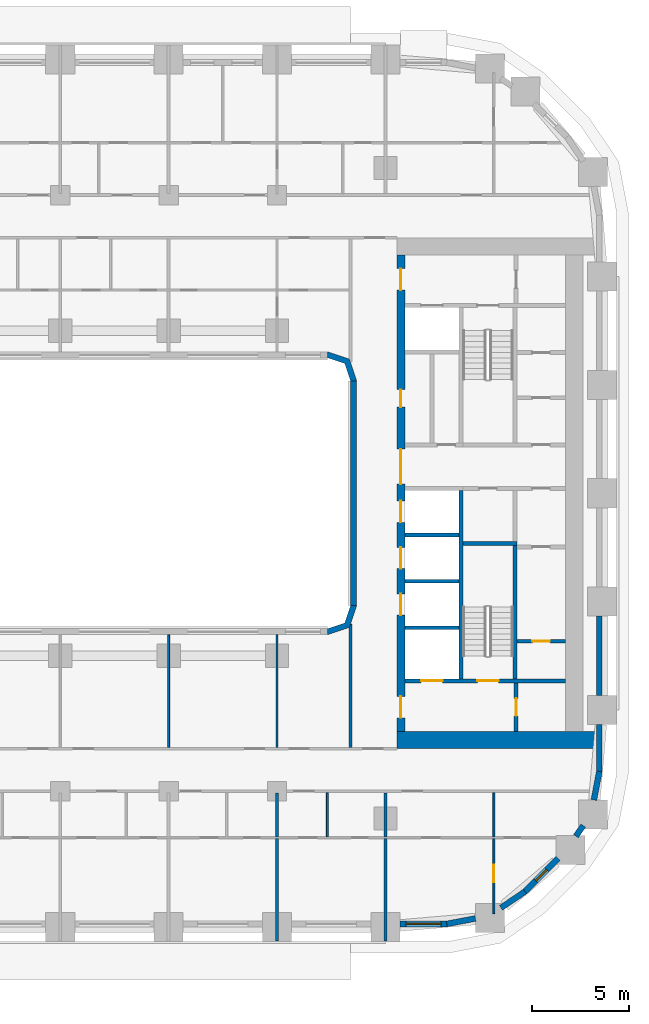
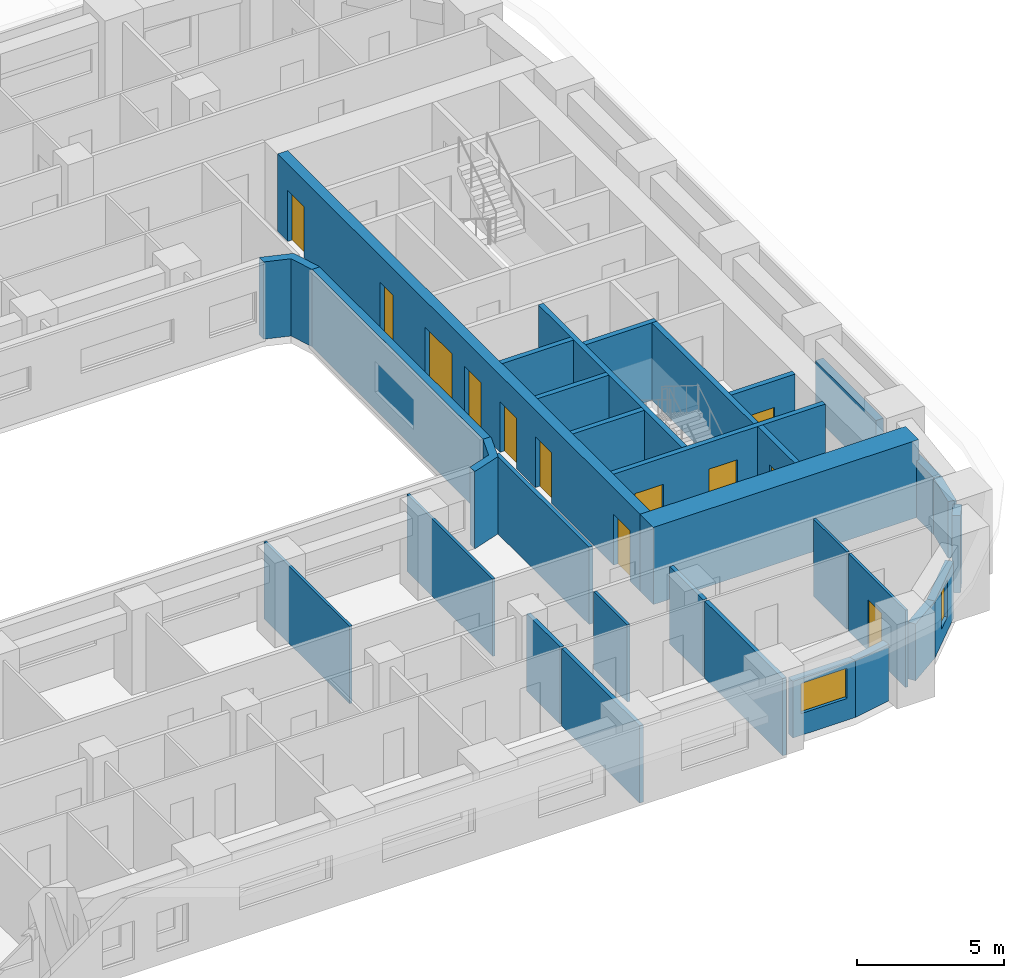
# One storey, part 6 of 21: 32 walls, 12 doors, 2 windows, 14 openings.
"""IFC4 building model written with IfcOpenShell, lengths in metres."""

from ifc_helpers import new_model, si_unit, direction, frame, frame_2d, origin, place, context, subcontext, project, spatial, polyline, rectangle, outline, extrude, material, layer, layer_set, type_object, element, fill, save


model = new_model("IFC4")

# Units and contexts
model_context = context("Model", 3, precision=1e-05, world=origin(), true_north=direction((0.0, 1.0)))
body_context = subcontext(model_context, "Body", "Model", "MODEL_VIEW")
ifc_project = project(units=[si_unit("LENGTHUNIT", "METRE"), si_unit("AREAUNIT", "SQUARE_METRE"), si_unit("VOLUMEUNIT", "CUBIC_METRE"), si_unit("PLANEANGLEUNIT", "RADIAN"), si_unit("MASSUNIT", "GRAM", prefix="KILO")], contexts=[model_context])

# Site, building, storey
site_placement = place(None, origin())
site = spatial("IfcSite", under=ifc_project, at=site_placement, CompositionType="ELEMENT")
building_placement = place(site_placement, origin())
building = spatial("IfcBuilding", under=site, at=building_placement, Name="Kiln Ring Residences", CompositionType="ELEMENT")
storey_placement = place(building_placement, frame((0.0, 0.0, 48.0)))
storey = spatial("IfcBuildingStorey", under=building, at=storey_placement, Name="L11", CompositionType="ELEMENT", Elevation=48.0)

# Wall, opening, door
ifc_material_1 = material(Name="Gypsum board on steel studs", Category="steel")
ifc_layer_1 = layer(ifc_material_1, 0.199951171875)
ifc_layer_set_1 = layer_set([ifc_layer_1], Name="CORE-PARTITION-200")
wall_type_1 = type_object("IfcWallType", Name="CORE-PARTITION-200", PredefinedType="PARTITIONING", material=ifc_layer_set_1)
wall_1_placement = place(storey_placement, frame((23.550048828125, -12.300048828125, 0.0), z_axis=(0.0, 0.0, 1.0), x_axis=(0.0, 1.0, 0.0)))
wall_1 = element("IfcWall", 1, at=wall_1_placement, inside=storey, type_object=wall_type_1, Name="Core partition east L11 5", PredefinedType="PARTITIONING", context=body_context, shape_type="SweptSolid", body=[
    extrude(rectangle(XDim=2.5, YDim=0.199951171875, at=frame_2d((1.25, 0.0))), origin(), (0.0, 0.0, 1.0), 3.199951171875),
])
opening_1_placement = place(wall_1_placement, frame((0.800048828125, 0.0, 0.0)))
opening_1 = element("IfcOpeningElement", 2, at=opening_1_placement, cuts=wall_1, Name="Opening L11-CE11", PredefinedType="OPENING", context=body_context, shape_type="SweptSolid", body=[
    extrude(rectangle(XDim=0.89990234375, YDim=2.10009765625, at=frame_2d((0.449951171875, 1.050048828125))), frame((0.0, 0.10986328125, 0.0), z_axis=(0.0, -1.0, 0.0), x_axis=(1.0, 0.0, 0.0)), (0.0, 0.0, 1.0), 0.219970703125),
])
ifc_material_2 = material(Name="Steel door leaf", Category="steel")
door_type_1 = type_object("IfcDoorType", Name="CORE-DOOR-ROOM", OperationType="SINGLE_SWING_LEFT", PredefinedType="DOOR", material=ifc_material_2)
door_1_placement = place(opening_1_placement, origin())
door_1 = element("IfcDoor", 3, at=door_1_placement, inside=storey, type_object=door_type_1, Name="Store L11-CE11", OperationType="SINGLE_SWING_RIGHT", OverallHeight=2.10009765625, OverallWidth=0.89990234375, PredefinedType="DOOR", context=body_context, shape_type="SweptSolid", body=[
    extrude(rectangle(XDim=0.89990234375, YDim=2.10009765625, at=frame_2d((0.449951171875, 1.050048828125))), frame((0.0, 0.02490234375, 0.0), z_axis=(0.0, -1.0, 0.0), x_axis=(1.0, 0.0, 0.0)), (0.0, 0.0, 1.0), 0.050048828125),
])
fill(opening_1, door_1)

wall_2_placement = place(storey_placement, frame((23.60009765625, -7.64990234375, 0.0), z_axis=(0.0, 0.0, 1.0), x_axis=(1.0, 0.0, 0.0)))
wall_2 = element("IfcWall", 4, at=wall_2_placement, inside=storey, type_object=wall_type_1, Name="Core partition east L11 6", PredefinedType="PARTITIONING", context=body_context, shape_type="SweptSolid", body=[
    extrude(rectangle(XDim=2.5, YDim=0.199951171875, at=frame_2d((1.25, 0.0))), origin(), (0.0, 0.0, 1.0), 3.199951171875),
])
opening_2_placement = place(wall_2_placement, frame((0.800048828125, 0.0, 0.0)))
opening_2 = element("IfcOpeningElement", 5, at=opening_2_placement, cuts=wall_2, Name="Opening L11-CE16", PredefinedType="OPENING", context=body_context, shape_type="SweptSolid", body=[
    extrude(rectangle(XDim=0.89990234375, YDim=2.10009765625, at=frame_2d((0.449951171875, 1.050048828125))), frame((0.0, 0.10986328125, 0.0), z_axis=(0.0, -1.0, 0.0), x_axis=(1.0, 0.0, 0.0)), (0.0, 0.0, 1.0), 0.219970703125),
])
door_2_placement = place(opening_2_placement, origin())
door_2 = element("IfcDoor", 6, at=door_2_placement, inside=storey, type_object=door_type_1, Name="Plant room L11-CE16", OperationType="SINGLE_SWING_RIGHT", OverallHeight=2.10009765625, OverallWidth=0.89990234375, PredefinedType="DOOR", context=body_context, shape_type="SweptSolid", body=[
    extrude(rectangle(XDim=0.89990234375, YDim=2.10009765625, at=frame_2d((0.449951171875, 1.050048828125))), frame((0.0, 0.02490234375, 0.0), z_axis=(0.0, -1.0, 0.0), x_axis=(1.0, 0.0, 0.0)), (0.0, 0.0, 1.0), 0.050048828125),
])
fill(opening_2, door_2)

# Walls
ifc_material_3 = material(Name="Gypsum shaft wall system")
ifc_layer_2 = layer(ifc_material_3, 0.199951171875)
ifc_layer_set_2 = layer_set([ifc_layer_2], Name="CORE-SHAFT-WALL-200")
wall_type_2 = type_object("IfcWallType", Name="CORE-SHAFT-WALL-200", PredefinedType="PARTITIONING", material=ifc_layer_set_2)
for number, where, z_axis, x_axis, name in (
    (7, (17.800048828125, -6.949951171875, 0.0), (0.0, 0.0, 1.0), (1.0, 0.0, 0.0), "Core partition east L11 10"),
    (8, (17.800048828125, -4.550048828125, 0.0), (0.0, 0.0, 1.0), (1.0, 0.0, 0.0), "Core partition east L11 11"),
    (9, (17.800048828125, -2.14990234375, 0.0), (0.0, 0.0, 1.0), (1.0, 0.0, 0.0), "Core partition east L11 12"),
):
    element("IfcWall", number, at=place(storey_placement, frame(where, z_axis=z_axis, x_axis=x_axis)), inside=storey, type_object=wall_type_2, Name=name, PredefinedType="PARTITIONING", context=body_context, shape_type="SweptSolid", body=[
        extrude(rectangle(XDim=2.800048828125, YDim=0.199951171875, at=frame_2d((1.39990234375, 0.0))), origin(), (0.0, 0.0, 1.0), 3.199951171875),
    ])
ifc_material_4 = material(Name="Concrete C40/50", Category="concrete")
ifc_layer_3 = layer(ifc_material_4, 0.199951171875)
ifc_layer_set_3 = layer_set([ifc_layer_3], Name="CORE-WALL-RC200")
wall_type_3 = type_object("IfcWallType", Name="CORE-WALL-RC200", PredefinedType="SHEAR", material=ifc_layer_set_3)
wall_3_placement = place(storey_placement, frame((20.699951171875, -9.60009765625, 0.0), z_axis=(0.0, 0.0, 1.0), x_axis=(0.0, 1.0, 0.0)))
element("IfcWall", 10, at=wall_3_placement, inside=storey, type_object=wall_type_3, Name="Core wall east L11 2", PredefinedType="SHEAR", context=body_context, shape_type="SweptSolid", body=[
    extrude(rectangle(XDim=9.75, YDim=0.199951171875, at=frame_2d((4.875, 0.0))), origin(), (0.0, 0.0, 1.0), 3.199951171875),
])

# Wall, openings, doors
wall_4_placement = place(storey_placement, frame((17.800048828125, -9.699951171875, 0.0), z_axis=(0.0, 0.0, 1.0), x_axis=(1.0, 0.0, 0.0)))
wall_4 = element("IfcWall", 11, at=wall_4_placement, inside=storey, type_object=wall_type_3, Name="Core wall east L11 8", PredefinedType="SHEAR", context=body_context, shape_type="SweptSolid", body=[
    extrude(rectangle(XDim=8.300048828125, YDim=0.199951171875, at=frame_2d((4.14990234375, 0.0))), origin(), (0.0, 0.0, 1.0), 3.199951171875),
])
opening_3_placement = place(wall_4_placement, frame((0.85009765625, 0.0, 0.0)))
opening_3 = element("IfcOpeningElement", 12, at=opening_3_placement, cuts=wall_4, Name="Opening L11-CE01", PredefinedType="OPENING", context=body_context, shape_type="SweptSolid", body=[
    extrude(rectangle(XDim=1.10009765625, YDim=2.10009765625, at=frame_2d((0.550048828125, 1.050048828125))), frame((0.0, 0.10986328125, 0.0), z_axis=(0.0, -1.0, 0.0), x_axis=(1.0, 0.0, 0.0)), (0.0, 0.0, 1.0), 0.219970703125),
])
opening_4_placement = place(wall_4_placement, frame((3.75, 0.0, 0.0)))
opening_4 = element("IfcOpeningElement", 13, at=opening_4_placement, cuts=wall_4, Name="Opening L11-CE13", PredefinedType="OPENING", context=body_context, shape_type="SweptSolid", body=[
    extrude(rectangle(XDim=1.10009765625, YDim=2.10009765625, at=frame_2d((0.550048828125, 1.050048828125))), frame((0.0, 0.10986328125, 0.0), z_axis=(0.0, -1.0, 0.0), x_axis=(1.0, 0.0, 0.0)), (0.0, 0.0, 1.0), 0.219970703125),
])
ifc_material_5 = material(Name="Steel door leaf", Category="steel")
door_type_2 = type_object("IfcDoorType", Name="CORE-DOOR-LD", OperationType="DOUBLE_DOOR_SLIDING", PredefinedType="DOOR", material=ifc_material_5)
door_3_placement = place(opening_3_placement, origin())
door_3 = element("IfcDoor", 14, at=door_3_placement, inside=storey, type_object=door_type_2, Name="LD E-SV L11-CE01", OperationType="DOUBLE_DOOR_SLIDING", OverallHeight=2.10009765625, OverallWidth=1.10009765625, PredefinedType="DOOR", context=body_context, shape_type="SweptSolid", body=[
    extrude(rectangle(XDim=1.10009765625, YDim=2.10009765625, at=frame_2d((0.550048828125, 1.050048828125))), frame((0.0, 0.02490234375, 0.0), z_axis=(0.0, -1.0, 0.0), x_axis=(1.0, 0.0, 0.0)), (0.0, 0.0, 1.0), 0.050048828125),
])
fill(opening_3, door_3)
ifc_material_6 = material(Name="Steel door leaf", Category="steel")
door_type_3 = type_object("IfcDoorType", Name="CORE-DOOR-STAIR", OperationType="SINGLE_SWING_LEFT", PredefinedType="DOOR", material=ifc_material_6)
door_4_placement = place(opening_4_placement, origin())
door_4 = element("IfcDoor", 15, at=door_4_placement, inside=storey, type_object=door_type_3, Name="Stair E-STS L11-CE13", OperationType="SINGLE_SWING_LEFT", OverallHeight=2.10009765625, OverallWidth=1.10009765625, PredefinedType="DOOR", context=body_context, shape_type="SweptSolid", body=[
    extrude(rectangle(XDim=1.10009765625, YDim=2.10009765625, at=frame_2d((0.550048828125, 1.050048828125))), frame((0.0, 0.02490234375, 0.0), z_axis=(0.0, -1.0, 0.0), x_axis=(1.0, 0.0, 0.0)), (0.0, 0.0, 1.0), 0.050048828125),
])
fill(opening_4, door_4)

# Walls
wall_5_placement = place(storey_placement, frame((23.5, -9.60009765625, 0.0), z_axis=(0.0, 0.0, 1.0), x_axis=(0.0, 1.0, 0.0)))
element("IfcWall", 16, at=wall_5_placement, inside=storey, type_object=wall_type_3, Name="Core wall east L11 11", PredefinedType="SHEAR", context=body_context, shape_type="SweptSolid", body=[
    extrude(rectangle(XDim=6.900146484375, YDim=0.199951171875, at=frame_2d((3.4501953125, 0.0))), origin(), (0.0, 0.0, 1.0), 3.199951171875),
])
wall_6_placement = place(storey_placement, frame((20.800048828125, -2.60009765625, 0.0), z_axis=(0.0, 0.0, 1.0), x_axis=(1.0, 0.0, 0.0)))
element("IfcWall", 17, at=wall_6_placement, inside=storey, type_object=wall_type_3, Name="Core wall east L11 12", PredefinedType="SHEAR", context=body_context, shape_type="SweptSolid", body=[
    extrude(rectangle(XDim=2.800048828125, YDim=0.199951171875, at=frame_2d((1.39990234375, 0.0))), origin(), (0.0, 0.0, 1.0), 3.199951171875),
])

# Wall, openings, doors
ifc_material_7 = material(Name="Concrete C60/75", Category="concrete")
ifc_layer_4 = layer(ifc_material_7, 0.39990234375)
ifc_layer_set_4 = layer_set([ifc_layer_4], Name="CORE-WALL-RC400")
wall_type_4 = type_object("IfcWallType", Name="CORE-WALL-RC400", PredefinedType="SHEAR", material=ifc_layer_set_4)
wall_7_placement = place(storey_placement, frame((17.60009765625, -12.300048828125, 0.0), z_axis=(0.0, 0.0, 1.0), x_axis=(0.0, 1.0, 0.0)))
wall_7 = element("IfcWall", 18, at=wall_7_placement, inside=storey, type_object=wall_type_4, Name="Core wall east L11 6", PredefinedType="SHEAR", context=body_context, shape_type="SweptSolid", body=[
    extrude(rectangle(XDim=24.60009765625, YDim=0.39990234375, at=frame_2d((12.300048828125, 0.0))), origin(), (0.0, 0.0, 1.0), 3.199951171875),
])
opening_5_placement = place(wall_7_placement, frame((6.0, 0.0, 0.0)))
opening_5 = element("IfcOpeningElement", 19, at=opening_5_placement, cuts=wall_7, Name="Opening L11-CE02", PredefinedType="OPENING", context=body_context, shape_type="SweptSolid", body=[
    extrude(rectangle(XDim=1.10009765625, YDim=2.10009765625, at=frame_2d((0.550048828125, 1.050048828125))), frame((0.0, 0.2099609375, 0.0), z_axis=(0.0, -1.0, 0.0), x_axis=(1.0, 0.0, 0.0)), (0.0, 0.0, 1.0), 0.419921875),
])
opening_6_placement = place(wall_7_placement, frame((8.39990234375, 0.0, 0.0)))
opening_6 = element("IfcOpeningElement", 20, at=opening_6_placement, cuts=wall_7, Name="Opening L11-CE03", PredefinedType="OPENING", context=body_context, shape_type="SweptSolid", body=[
    extrude(rectangle(XDim=1.10009765625, YDim=2.10009765625, at=frame_2d((0.550048828125, 1.050048828125))), frame((0.0, 0.2099609375, 0.0), z_axis=(0.0, -1.0, 0.0), x_axis=(1.0, 0.0, 0.0)), (0.0, 0.0, 1.0), 0.419921875),
])
opening_7_placement = place(wall_7_placement, frame((10.800048828125, 0.0, 0.0)))
opening_7 = element("IfcOpeningElement", 21, at=opening_7_placement, cuts=wall_7, Name="Opening L11-CE04", PredefinedType="OPENING", context=body_context, shape_type="SweptSolid", body=[
    extrude(rectangle(XDim=1.10009765625, YDim=2.10009765625, at=frame_2d((0.550048828125, 1.050048828125))), frame((0.0, 0.2099609375, 0.0), z_axis=(0.0, -1.0, 0.0), x_axis=(1.0, 0.0, 0.0)), (0.0, 0.0, 1.0), 0.419921875),
])
opening_8_placement = place(wall_7_placement, frame((16.75, 0.0, 0.0)))
opening_8 = element("IfcOpeningElement", 22, at=opening_8_placement, cuts=wall_7, Name="Opening L11-CE05", PredefinedType="OPENING", context=body_context, shape_type="SweptSolid", body=[
    extrude(rectangle(XDim=0.89990234375, YDim=2.10009765625, at=frame_2d((0.449951171875, 1.050048828125))), frame((0.0, 0.2099609375, 0.0), z_axis=(0.0, -1.0, 0.0), x_axis=(1.0, 0.0, 0.0)), (0.0, 0.0, 1.0), 0.419921875),
])
opening_9_placement = place(wall_7_placement, frame((22.800048828125, 0.0, 0.0)))
opening_9 = element("IfcOpeningElement", 23, at=opening_9_placement, cuts=wall_7, Name="Opening L11-CE08", PredefinedType="OPENING", context=body_context, shape_type="SweptSolid", body=[
    extrude(rectangle(XDim=1.10009765625, YDim=2.10009765625, at=frame_2d((0.550048828125, 1.050048828125))), frame((0.0, 0.2099609375, 0.0), z_axis=(0.0, -1.0, 0.0), x_axis=(1.0, 0.0, 0.0)), (0.0, 0.0, 1.0), 0.419921875),
])
opening_10_placement = place(wall_7_placement, frame((0.699951171875, 0.0, 0.0)))
opening_10 = element("IfcOpeningElement", 24, at=opening_10_placement, cuts=wall_7, Name="Opening L11-CE09", PredefinedType="OPENING", context=body_context, shape_type="SweptSolid", body=[
    extrude(rectangle(XDim=1.10009765625, YDim=2.10009765625, at=frame_2d((0.550048828125, 1.050048828125))), frame((0.0, 0.2099609375, 0.0), z_axis=(0.0, -1.0, 0.0), x_axis=(1.0, 0.0, 0.0)), (0.0, 0.0, 1.0), 0.419921875),
])
opening_11_placement = place(wall_7_placement, frame((12.77490234375, 0.0, 0.0)))
opening_11 = element("IfcOpeningElement", 25, at=opening_11_placement, cuts=wall_7, Name="Opening L11-CE14", PredefinedType="OPENING", context=body_context, shape_type="SweptSolid", body=[
    extrude(rectangle(XDim=1.800048828125, YDim=2.10009765625, at=frame_2d((0.89990234375, 1.050048828125))), frame((0.0, 0.2099609375, 0.0), z_axis=(0.0, -1.0, 0.0), x_axis=(1.0, 0.0, 0.0)), (0.0, 0.0, 1.0), 0.419921875),
])
door_5_placement = place(opening_5_placement, origin())
door_5 = element("IfcDoor", 26, at=door_5_placement, inside=storey, type_object=door_type_2, Name="LD E-L1 L11-CE02", OperationType="DOUBLE_DOOR_SLIDING", OverallHeight=2.10009765625, OverallWidth=1.10009765625, PredefinedType="DOOR", context=body_context, shape_type="SweptSolid", body=[
    extrude(rectangle(XDim=1.10009765625, YDim=2.10009765625, at=frame_2d((0.550048828125, 1.050048828125))), frame((0.0, 0.02490234375, 0.0), z_axis=(0.0, -1.0, 0.0), x_axis=(1.0, 0.0, 0.0)), (0.0, 0.0, 1.0), 0.050048828125),
])
fill(opening_5, door_5)
door_6_placement = place(opening_6_placement, origin())
door_6 = element("IfcDoor", 27, at=door_6_placement, inside=storey, type_object=door_type_2, Name="LD E-L2 L11-CE03", OperationType="DOUBLE_DOOR_SLIDING", OverallHeight=2.10009765625, OverallWidth=1.10009765625, PredefinedType="DOOR", context=body_context, shape_type="SweptSolid", body=[
    extrude(rectangle(XDim=1.10009765625, YDim=2.10009765625, at=frame_2d((0.550048828125, 1.050048828125))), frame((0.0, 0.02490234375, 0.0), z_axis=(0.0, -1.0, 0.0), x_axis=(1.0, 0.0, 0.0)), (0.0, 0.0, 1.0), 0.050048828125),
])
fill(opening_6, door_6)
door_7_placement = place(opening_7_placement, origin())
door_7 = element("IfcDoor", 28, at=door_7_placement, inside=storey, type_object=door_type_2, Name="LD E-L3 L11-CE04", OperationType="DOUBLE_DOOR_SLIDING", OverallHeight=2.10009765625, OverallWidth=1.10009765625, PredefinedType="DOOR", context=body_context, shape_type="SweptSolid", body=[
    extrude(rectangle(XDim=1.10009765625, YDim=2.10009765625, at=frame_2d((0.550048828125, 1.050048828125))), frame((0.0, 0.02490234375, 0.0), z_axis=(0.0, -1.0, 0.0), x_axis=(1.0, 0.0, 0.0)), (0.0, 0.0, 1.0), 0.050048828125),
])
fill(opening_7, door_7)
ifc_material_8 = material(Name="Steel door leaf", Category="steel")
door_type_4 = type_object("IfcDoorType", Name="CORE-DOOR-LOBBY", OperationType="SINGLE_SWING_LEFT", PredefinedType="DOOR", material=ifc_material_8)
door_8_placement = place(opening_9_placement, origin())
door_8 = element("IfcDoor", 29, at=door_8_placement, inside=storey, type_object=door_type_4, Name="FFL L11-CE08", OperationType="SINGLE_SWING_RIGHT", OverallHeight=2.10009765625, OverallWidth=1.10009765625, PredefinedType="DOOR", context=body_context, shape_type="SweptSolid", body=[
    extrude(rectangle(XDim=1.10009765625, YDim=2.10009765625, at=frame_2d((0.550048828125, 1.050048828125))), frame((0.0, 0.02490234375, 0.0), z_axis=(0.0, -1.0, 0.0), x_axis=(1.0, 0.0, 0.0)), (0.0, 0.0, 1.0), 0.050048828125),
])
fill(opening_9, door_8)
door_9_placement = place(opening_10_placement, origin())
door_9 = element("IfcDoor", 30, at=door_9_placement, inside=storey, type_object=door_type_4, Name="SVL L11-CE09", OperationType="SINGLE_SWING_LEFT", OverallHeight=2.10009765625, OverallWidth=1.10009765625, PredefinedType="DOOR", context=body_context, shape_type="SweptSolid", body=[
    extrude(rectangle(XDim=1.10009765625, YDim=2.10009765625, at=frame_2d((0.550048828125, 1.050048828125))), frame((0.0, 0.02490234375, 0.0), z_axis=(0.0, -1.0, 0.0), x_axis=(1.0, 0.0, 0.0)), (0.0, 0.0, 1.0), 0.050048828125),
])
fill(opening_10, door_9)
ifc_material_9 = material(Name="Steel door leaf", Category="steel")
door_type_5 = type_object("IfcDoorType", Name="CORE-DOOR-PASS", OperationType="DOUBLE_DOOR_SINGLE_SWING", PredefinedType="DOOR", material=ifc_material_9)
door_10_placement = place(opening_11_placement, origin())
door_10 = element("IfcDoor", 31, at=door_10_placement, inside=storey, type_object=door_type_5, Name="Core passage L11-CE14", OperationType="DOUBLE_DOOR_SINGLE_SWING", OverallHeight=2.10009765625, OverallWidth=1.800048828125, PredefinedType="DOOR", context=body_context, shape_type="SweptSolid", body=[
    extrude(rectangle(XDim=1.800048828125, YDim=2.10009765625, at=frame_2d((0.89990234375, 1.050048828125))), frame((0.0, 0.02490234375, 0.0), z_axis=(0.0, -1.0, 0.0), x_axis=(1.0, 0.0, 0.0)), (0.0, 0.0, 1.0), 0.050048828125),
])
fill(opening_11, door_10)
door_11_placement = place(opening_8_placement, origin())
door_11 = element("IfcDoor", 32, at=door_11_placement, inside=storey, type_object=door_type_1, Name="Storage room L11-CE05", OperationType="SINGLE_SWING_RIGHT", OverallHeight=2.10009765625, OverallWidth=0.89990234375, PredefinedType="DOOR", context=body_context, shape_type="SweptSolid", body=[
    extrude(rectangle(XDim=0.89990234375, YDim=2.10009765625, at=frame_2d((0.449951171875, 1.050048828125))), frame((0.0, 0.02490234375, 0.0), z_axis=(0.0, -1.0, 0.0), x_axis=(1.0, 0.0, 0.0)), (0.0, 0.0, 1.0), 0.050048828125),
])
fill(opening_8, door_11)

# Wall
ifc_material_10 = material(Name="Concrete C60/75", Category="concrete")
ifc_layer_5 = layer(ifc_material_10, 0.89990234375)
ifc_layer_set_5 = layer_set([ifc_layer_5], Name="CORE-WALL-RC900")
wall_type_5 = type_object("IfcWallType", Name="CORE-WALL-RC900", PredefinedType="SHEAR", material=ifc_layer_set_5)
wall_8_placement = place(storey_placement, frame((17.39990234375, -12.75, 0.0), z_axis=(0.0, 0.0, 1.0), x_axis=(1.0, 0.0, 0.0)))
element("IfcWall", 33, at=wall_8_placement, inside=storey, type_object=wall_type_5, Name="Core wall east L11 5", PredefinedType="SHEAR", context=body_context, shape_type="SweptSolid", body=[
    extrude(rectangle(XDim=10.400146484375, YDim=0.89990234375, at=frame_2d((5.2001953125, 0.0))), origin(), (0.0, 0.0, 1.0), 3.199951171875),
])

# Wall, opening, window
ifc_material_11 = material(Name="Brick masonry, dark clay brick", Category="masonry")
ifc_layer_6 = layer(ifc_material_11, 0.300048828125)
ifc_layer_set_6 = layer_set([ifc_layer_6], Name="EW-300 BRICK WALL")
wall_type_6 = type_object("IfcWallType", Name="EW-300 BRICK WALL", PredefinedType="SOLIDWALL", material=ifc_layer_set_6)
wall_9_placement = place(storey_placement, frame((17.550048828125, -22.25, 0.0), z_axis=(0.0, 0.0, 1.0), x_axis=(1.0, 0.0, 0.0)))
wall_9 = element("IfcWall", 34, at=wall_9_placement, inside=storey, type_object=wall_type_6, Name="Facade wall L11 11", PredefinedType="SOLIDWALL", context=body_context, shape_type="SweptSolid", body=[
    extrude(rectangle(XDim=2.449951171875, YDim=0.300048828125, at=frame_2d((1.22509765625, 0.0))), origin(), (0.0, 0.0, 1.0), 2.35009765625),
])
opening_12_placement = place(wall_9_placement, frame((0.324951171875, 0.0, 0.89990234375)))
opening_12 = element("IfcOpeningElement", 35, at=opening_12_placement, cuts=wall_9, Name="Opening W2", PredefinedType="OPENING", context=body_context, shape_type="SweptSolid", body=[
    extrude(rectangle(XDim=1.800048828125, YDim=1.25, at=frame_2d((0.89990234375, 0.625))), frame((0.0, 0.159912109375, 0.0), z_axis=(0.0, -1.0, 0.0), x_axis=(1.0, 0.0, 0.0)), (0.0, 0.0, 1.0), 0.320068359375),
])
ifc_material_12 = material(Name="Aluminium frame with double glazing", Category="aluminium")
window_type_1 = type_object("IfcWindowType", Name="WINDOW 1800 x 1250", PartitioningType="SINGLE_PANEL", PredefinedType="WINDOW", material=ifc_material_12)
window_1_placement = place(opening_12_placement, origin())
window_1 = element("IfcWindow", 36, at=window_1_placement, inside=storey, type_object=window_type_1, Name="Window L11 10", OverallHeight=1.25, OverallWidth=1.800048828125, PartitioningType="SINGLE_PANEL", PredefinedType="WINDOW", context=body_context, shape_type="SweptSolid", body=[
    extrude(rectangle(XDim=1.800048828125, YDim=1.25, at=frame_2d((0.89990234375, 0.625))), frame((0.0, 0.030029296875, 0.0), z_axis=(0.0, -1.0, 0.0), x_axis=(1.0, 0.0, 0.0)), (0.0, 0.0, 1.0), 0.06005859375),
])
fill(opening_12, window_1)

# Walls
for number, where, z_axis, x_axis, name in (
    (37, (19.971923828125, -22.252685546875, 0.0), (0.0, 0.0, 1.0), (0.982287454367, 0.187380247071, 0.0), "Facade wall L11 12"),
    (38, (22.76708984375, -21.425537109375, 0.0), (0.0, 0.0, 1.0), (0.827028997312, 0.562159263559, 0.0), "Facade wall L11 13"),
):
    element("IfcWall", number, at=place(storey_placement, frame(where, z_axis=z_axis, x_axis=x_axis)), inside=storey, type_object=wall_type_6, Name=name, PredefinedType="SOLIDWALL", context=body_context, shape_type="SweptSolid", body=[
        extrude(rectangle(XDim=1.506103515625, YDim=0.300048828125, at=frame_2d((0.7529296875, 0.0))), origin(), (0.0, 0.0, 1.0), 2.35009765625),
    ])

# Wall, opening, window
wall_10_placement = place(storey_placement, frame((23.990966796875, -20.596923828125, 0.0), z_axis=(0.0, 0.0, 1.0), x_axis=(0.707106781187, 0.707106781187, 0.0)))
wall_10 = element("IfcWall", 39, at=wall_10_placement, inside=storey, type_object=wall_type_6, Name="Facade wall L11 14", PredefinedType="SOLIDWALL", context=body_context, shape_type="SweptSolid", body=[
    extrude(rectangle(XDim=2.449951171875, YDim=0.300048828125, at=frame_2d((1.22509765625, 0.0))), origin(), (0.0, 0.0, 1.0), 2.35009765625),
])
opening_13_placement = place(wall_10_placement, frame((0.824951171875, 0.0, 0.60009765625)))
opening_13 = element("IfcOpeningElement", 40, at=opening_13_placement, cuts=wall_10, Name="Opening W5", PredefinedType="OPENING", context=body_context, shape_type="SweptSolid", body=[
    extrude(rectangle(XDim=0.800048828125, YDim=1.550048828125, at=frame_2d((0.39990234375, 0.77490234375))), frame((0.0, 0.159912109375, 0.0), z_axis=(0.0, -1.0, 0.0), x_axis=(1.0, 0.0, 0.0)), (0.0, 0.0, 1.0), 0.320068359375),
])
ifc_material_13 = material(Name="Aluminium frame with double glazing", Category="aluminium")
window_type_2 = type_object("IfcWindowType", Name="WINDOW 800 x 1550", PartitioningType="SINGLE_PANEL", PredefinedType="WINDOW", material=ifc_material_13)
window_2_placement = place(opening_13_placement, origin())
window_2 = element("IfcWindow", 41, at=window_2_placement, inside=storey, type_object=window_type_2, Name="Window L11 11", OverallHeight=1.550048828125, OverallWidth=0.800048828125, PartitioningType="SINGLE_PANEL", PredefinedType="WINDOW", context=body_context, shape_type="SweptSolid", body=[
    extrude(rectangle(XDim=0.800048828125, YDim=1.550048828125, at=frame_2d((0.39990234375, 0.77490234375))), frame((0.0, 0.030029296875, 0.0), z_axis=(0.0, -1.0, 0.0), x_axis=(1.0, 0.0, 0.0)), (0.0, 0.0, 1.0), 0.06005859375),
])
fill(opening_13, window_2)

# Walls
wall_11_placement = place(storey_placement, frame((26.644775390625, -17.72705078125, 0.0), z_axis=(0.0, 0.0, 1.0), x_axis=(0.562083182981, 0.827080706709, 0.0)))
element("IfcWall", 42, at=wall_11_placement, inside=storey, type_object=wall_type_6, Name="Facade wall L11 15", PredefinedType="SOLIDWALL", context=body_context, shape_type="SweptSolid", body=[
    extrude(rectangle(XDim=0.67724609375, YDim=0.300048828125, at=frame_2d((0.338623046875, 0.0))), origin(), (0.0, 0.0, 1.0), 3.199951171875),
])
wall_12_placement = place(storey_placement, frame((27.570556640625, -15.851318359375, 0.0), z_axis=(0.0, 0.0, 1.0), x_axis=(0.187223837635, 0.982317277982, 0.0)))
element("IfcWall", 43, at=wall_12_placement, inside=storey, type_object=wall_type_6, Name="Facade wall L11 16", PredefinedType="SOLIDWALL", context=body_context, shape_type="SweptSolid", body=[
    extrude(rectangle(XDim=1.506103515625, YDim=0.300048828125, at=frame_2d((0.7529296875, 0.0))), origin(), (0.0, 0.0, 1.0), 2.35009765625),
])
wall_13_placement = place(storey_placement, frame((27.85009765625, -14.39990234375, 0.0), z_axis=(0.0, 0.0, 1.0), x_axis=(0.0, 1.0, 0.0)))
element("IfcWall", 44, at=wall_13_placement, inside=storey, type_object=wall_type_6, Name="Facade wall L11 17", PredefinedType="SOLIDWALL", context=body_context, shape_type="SweptSolid", body=[
    extrude(rectangle(XDim=2.449951171875, YDim=0.300048828125, at=frame_2d((1.22509765625, 0.0))), origin(), (0.0, 0.0, 1.0), 2.35009765625),
])
wall_14_placement = place(storey_placement, frame((27.85009765625, -10.449951171875, 0.0), z_axis=(0.0, 0.0, 1.0), x_axis=(0.0, 1.0, 0.0)))
element("IfcWall", 45, at=wall_14_placement, inside=storey, type_object=wall_type_6, Name="Facade wall L11 18", PredefinedType="SOLIDWALL", context=body_context, shape_type="SweptSolid", body=[
    extrude(rectangle(XDim=4.099853515625, YDim=0.300048828125, at=frame_2d((2.0498046875, 0.0))), origin(), (0.0, 0.0, 1.0), 2.35009765625),
])
wall_15_placement = place(storey_placement, frame((15.14990234375, 5.800048828125, 0.0), z_axis=(0.0, 0.0, 1.0), x_axis=(0.0, -1.0, 0.0)))
element("IfcWall", 46, at=wall_15_placement, inside=storey, type_object=wall_type_6, Name="Facade wall L11 51", PredefinedType="SOLIDWALL", context=body_context, shape_type="SweptSolid", body=[
    extrude(rectangle(XDim=11.60009765625, YDim=0.300048828125, at=frame_2d((5.800048828125, 0.0))), origin(), (0.0, 0.0, 1.0), 3.199951171875),
])
placement = place(storey_placement, origin())
element("IfcWall", 47, at=placement, inside=storey, type_object=wall_type_6, Name="Corner wall L11 2", PredefinedType="SOLIDWALL", context=body_context, shape_type="SweptSolid", body=[
    extrude(outline(polyline([(14.937255859375, 6.937255859375), (13.8486328125, 7.300048828125), (13.800048828125, 7.300048828125), (13.800048828125, 7.0), (14.699951171875, 6.699951171875), (15.0, 5.800048828125), (15.300048828125, 5.800048828125), (15.300048828125, 5.8486328125), (14.937255859375, 6.937255859375)])), origin(), (0.0, 0.0, 1.0), 3.199951171875),
])
element("IfcWall", 48, at=placement, inside=storey, type_object=wall_type_6, Name="Corner wall L11 3", PredefinedType="SOLIDWALL", context=body_context, shape_type="SweptSolid", body=[
    extrude(outline(polyline([(14.937255859375, -6.937255859375), (15.300048828125, -5.8486328125), (15.300048828125, -5.800048828125), (15.0, -5.800048828125), (14.699951171875, -6.699951171875), (13.800048828125, -7.0), (13.800048828125, -7.300048828125), (13.8486328125, -7.300048828125), (14.937255859375, -6.937255859375)])), origin(), (0.0, 0.0, 1.0), 3.199951171875),
])
ifc_material_14 = material(Name="Gypsum board on steel studs", Category="steel")
ifc_layer_7 = layer(ifc_material_14, 0.10009765625)
ifc_layer_set_7 = layer_set([ifc_layer_7], Name="PARTITION-100")
wall_type_7 = type_object("IfcWallType", Name="PARTITION-100", PredefinedType="PARTITIONING", material=ifc_layer_set_7)
for number, where, z_axis, x_axis, name in (
    (49, (5.60009765625, -13.125, 0.0), (0.0, 0.0, 1.0), (0.0, 1.0, 0.0), "Partition 048"),
    (50, (11.199951171875, -13.125, 0.0), (0.0, 0.0, 1.0), (0.0, 1.0, 0.0), "Partition 057"),
):
    element("IfcWall", number, at=place(storey_placement, frame(where, z_axis=z_axis, x_axis=x_axis)), inside=storey, type_object=wall_type_7, Name=name, PredefinedType="PARTITIONING", context=body_context, shape_type="SweptSolid", body=[
        extrude(rectangle(XDim=5.804931640625, YDim=0.10009765625, at=frame_2d((2.90234375, 0.0))), origin(), (0.0, 0.0, 1.0), 3.199951171875),
    ])
wall_18_placement = place(storey_placement, frame((13.800048828125, -17.75, 0.0), z_axis=(0.0, 0.0, 1.0), x_axis=(0.0, 1.0, 0.0)))
element("IfcWall", 51, at=wall_18_placement, inside=storey, type_object=wall_type_7, Name="Partition 064", PredefinedType="PARTITIONING", context=body_context, shape_type="SweptSolid", body=[
    extrude(rectangle(XDim=2.27490234375, YDim=0.10009765625, at=frame_2d((1.137451171875, 0.0))), origin(), (0.0, 0.0, 1.0), 3.199951171875),
])

# Wall, opening, door
wall_19_placement = place(storey_placement, frame((22.39990234375, -21.719970703125, 0.0), z_axis=(0.0, 0.0, 1.0), x_axis=(0.0, 1.0, 0.0)))
wall_19 = element("IfcWall", 52, at=wall_19_placement, inside=storey, type_object=wall_type_7, Name="Partition 072", PredefinedType="PARTITIONING", context=body_context, shape_type="SweptSolid", body=[
    extrude(rectangle(XDim=3.869873046875, YDim=0.10009765625, at=frame_2d((1.93505859375, 0.0))), origin(), (0.0, 0.0, 1.0), 3.199951171875),
])
opening_14_placement = place(wall_19_placement, frame((1.6220703125, 0.0, 0.0)))
opening_14 = element("IfcOpeningElement", 53, at=opening_14_placement, cuts=wall_19, Name="Opening L11-D076", PredefinedType="OPENING", context=body_context, shape_type="SweptSolid", body=[
    extrude(rectangle(XDim=0.89990234375, YDim=2.10009765625, at=frame_2d((0.449951171875, 1.050048828125))), frame((0.0, 0.06005859375, 0.0), z_axis=(0.0, -1.0, 0.0), x_axis=(1.0, 0.0, 0.0)), (0.0, 0.0, 1.0), 0.1201171875),
])
ifc_material_15 = material(Name="Timber door leaf", Category="wood")
door_type_6 = type_object("IfcDoorType", Name="FLAT-DOOR-900-PL", OperationType="SINGLE_SWING_LEFT", PredefinedType="DOOR", material=ifc_material_15)
door_12_placement = place(opening_14_placement, origin())
door_12 = element("IfcDoor", 54, at=door_12_placement, inside=storey, type_object=door_type_6, Name="Door L11-D076", OperationType="SINGLE_SWING_RIGHT", OverallHeight=2.10009765625, OverallWidth=0.89990234375, PredefinedType="DOOR", context=body_context, shape_type="SweptSolid", body=[
    extrude(rectangle(XDim=0.89990234375, YDim=2.10009765625, at=frame_2d((0.449951171875, 1.050048828125))), frame((0.0, 0.02490234375, 0.0), z_axis=(0.0, -1.0, 0.0), x_axis=(1.0, 0.0, 0.0)), (0.0, 0.0, 1.0), 0.050048828125),
])
fill(opening_14, door_12)

# Walls
wall_20_placement = place(storey_placement, frame((22.39990234375, -17.75, 0.0), z_axis=(0.0, 0.0, 1.0), x_axis=(0.0, 1.0, 0.0)))
element("IfcWall", 55, at=wall_20_placement, inside=storey, type_object=wall_type_7, Name="Partition 073", PredefinedType="PARTITIONING", context=body_context, shape_type="SweptSolid", body=[
    extrude(rectangle(XDim=2.27490234375, YDim=0.10009765625, at=frame_2d((1.137451171875, 0.0))), origin(), (0.0, 0.0, 1.0), 3.199951171875),
])
ifc_material_16 = material(Name="Brick masonry partition", Category="masonry")
ifc_layer_8 = layer(ifc_material_16, 0.14990234375)
ifc_layer_set_8 = layer_set([ifc_layer_8], Name="PARTITION-150-ei60")
wall_type_8 = type_object("IfcWallType", Name="PARTITION-150-ei60", PredefinedType="PARTITIONING", material=ifc_layer_set_8)
wall_21_placement = place(storey_placement, frame((11.199951171875, -23.1298828125, 0.0), z_axis=(0.0, 0.0, 1.0), x_axis=(0.0, 1.0, 0.0)))
element("IfcWall", 56, at=wall_21_placement, inside=storey, type_object=wall_type_8, Name="Partition 062", PredefinedType="PARTITIONING", context=body_context, shape_type="SweptSolid", body=[
    extrude(rectangle(XDim=5.27978515625, YDim=0.14990234375, at=frame_2d((2.639892578125, 0.0))), origin(), (0.0, 0.0, 1.0), 3.199951171875),
])
wall_22_placement = place(storey_placement, frame((11.199951171875, -17.75, 0.0), z_axis=(0.0, 0.0, 1.0), x_axis=(0.0, 1.0, 0.0)))
element("IfcWall", 57, at=wall_22_placement, inside=storey, type_object=wall_type_8, Name="Partition 063", PredefinedType="PARTITIONING", context=body_context, shape_type="SweptSolid", body=[
    extrude(rectangle(XDim=2.27490234375, YDim=0.14990234375, at=frame_2d((1.137451171875, 0.0))), origin(), (0.0, 0.0, 1.0), 3.199951171875),
])
wall_23_placement = place(storey_placement, frame((15.0, -13.125, 0.0), z_axis=(0.0, 0.0, 1.0), x_axis=(0.0, 1.0, 0.0)))
element("IfcWall", 58, at=wall_23_placement, inside=storey, type_object=wall_type_8, Name="Partition 066", PredefinedType="PARTITIONING", context=body_context, shape_type="SweptSolid", body=[
    extrude(rectangle(XDim=6.356201171875, YDim=0.14990234375, at=frame_2d((3.17822265625, 0.0))), origin(), (0.0, 0.0, 1.0), 3.199951171875),
])
wall_24_placement = place(storey_placement, frame((16.800048828125, -23.1298828125, 0.0), z_axis=(0.0, 0.0, 1.0), x_axis=(0.0, 1.0, 0.0)))
element("IfcWall", 59, at=wall_24_placement, inside=storey, type_object=wall_type_8, Name="Partition 068", PredefinedType="PARTITIONING", context=body_context, shape_type="SweptSolid", body=[
    extrude(rectangle(XDim=5.27978515625, YDim=0.14990234375, at=frame_2d((2.639892578125, 0.0))), origin(), (0.0, 0.0, 1.0), 3.199951171875),
])
wall_25_placement = place(storey_placement, frame((16.800048828125, -17.75, 0.0), z_axis=(0.0, 0.0, 1.0), x_axis=(0.0, 1.0, 0.0)))
element("IfcWall", 60, at=wall_25_placement, inside=storey, type_object=wall_type_8, Name="Partition 069", PredefinedType="PARTITIONING", context=body_context, shape_type="SweptSolid", body=[
    extrude(rectangle(XDim=2.27490234375, YDim=0.14990234375, at=frame_2d((1.137451171875, 0.0))), origin(), (0.0, 0.0, 1.0), 3.199951171875),
])

save(model, "model.ifc")
